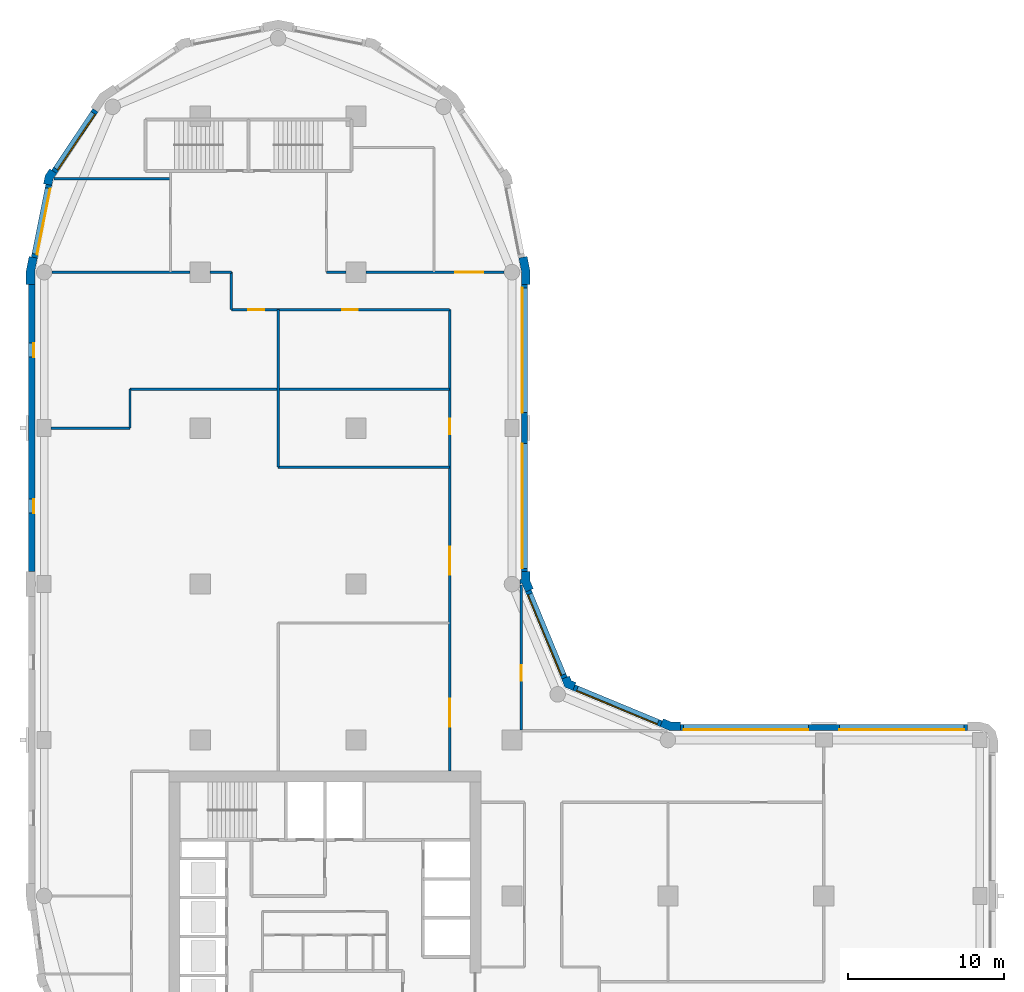
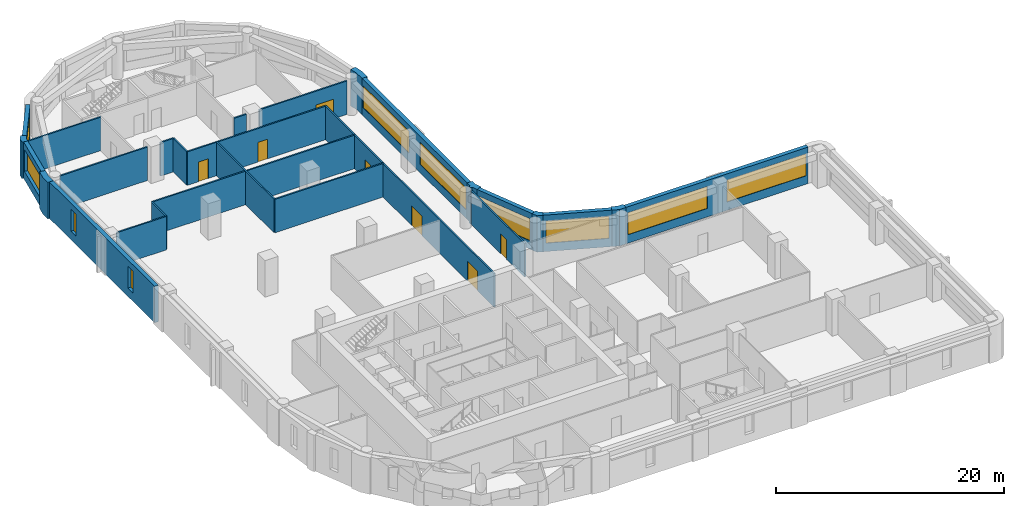
# One storey, part 5 of 9: 27 walls, 10 windows, 7 doors, 17 openings.
"""IFC4 building model written with IfcOpenShell, lengths in metres."""

from ifc_helpers import new_model, si_unit, direction, frame, frame_2d, origin, place, context, subcontext, project, spatial, polyline, rectangle, outline, extrude, material, layer, layer_set, type_object, element, fill, save


model = new_model("IFC4")

# Units and contexts
model_context = context("Model", 3, precision=1e-05, world=origin(), true_north=direction((0.0, 1.0)))
body_context = subcontext(model_context, "Body", "Model", "MODEL_VIEW")
ifc_project = project(units=[si_unit("LENGTHUNIT", "METRE"), si_unit("AREAUNIT", "SQUARE_METRE"), si_unit("VOLUMEUNIT", "CUBIC_METRE"), si_unit("PLANEANGLEUNIT", "RADIAN"), si_unit("MASSUNIT", "GRAM", prefix="KILO")], contexts=[model_context])

# Site, building, storey
site_placement = place(None, origin())
site = spatial("IfcSite", under=ifc_project, at=site_placement, CompositionType="ELEMENT")
building_placement = place(site_placement, origin())
building = spatial("IfcBuilding", under=site, at=building_placement, Name="Qaws Garden Tower", CompositionType="ELEMENT")
storey_placement = place(building_placement, frame((0.0, 0.0, 194.10009765625)))
storey = spatial("IfcBuildingStorey", under=building, at=storey_placement, Name="L47", CompositionType="ELEMENT", Elevation=194.10009765625)

# Wall, openings, windows
ifc_material_1 = material(Name="Clay facing brick masonry", Category="masonry")
ifc_layer_1 = layer(ifc_material_1, 0.39990234375)
ifc_layer_set_1 = layer_set([ifc_layer_1], Name="Clay facing brick masonry")
wall_type_1 = type_object("IfcWallType", Name="Brick infill wall 400", PredefinedType="SOLIDWALL", material=ifc_layer_set_1)
wall_1_placement = place(storey_placement, frame((59.199951171875, 30.800048828125, 0.0), z_axis=(0.0, 0.0, 1.0), x_axis=(-1.0, 0.0, 0.0)))
wall_1 = element("IfcWall", 1, at=wall_1_placement, inside=storey, type_object=wall_type_1, Name="E-L47-infill-07", PredefinedType="SOLIDWALL", context=body_context, shape_type="SweptSolid", body=[
    extrude(rectangle(XDim=18.39990234375, YDim=0.39990234375, at=frame_2d((9.199951171875, 0.0))), origin(), (0.0, 0.0, 1.0), 3.89990234375),
])
opening_1_placement = place(wall_1_placement, frame((0.199951171875, 0.0, 0.89990234375)))
opening_1 = element("IfcOpeningElement", 2, at=opening_1_placement, cuts=wall_1, Name="Opening W01", PredefinedType="OPENING", context=body_context, shape_type="SweptSolid", body=[
    extrude(rectangle(XDim=8.0, YDim=2.35009765625, at=frame_2d((4.0, 1.175048828125))), frame((0.0, 0.2099609375, 0.0), z_axis=(0.0, -1.0, 0.0), x_axis=(1.0, 0.0, 0.0)), (0.0, 0.0, 1.0), 0.419921875),
])
opening_2_placement = place(wall_1_placement, frame((10.199951171875, 0.0, 0.89990234375)))
opening_2 = element("IfcOpeningElement", 3, at=opening_2_placement, cuts=wall_1, Name="Opening W01", PredefinedType="OPENING", context=body_context, shape_type="SweptSolid", body=[
    extrude(rectangle(XDim=8.0, YDim=2.35009765625, at=frame_2d((4.0, 1.175048828125))), frame((0.0, 0.2099609375, 0.0), z_axis=(0.0, -1.0, 0.0), x_axis=(1.0, 0.0, 0.0)), (0.0, 0.0, 1.0), 0.419921875),
])
ifc_material_2 = material(Name="Aluminium framed window, clear glazing", Category="aluminium")
window_type_1 = type_object("IfcWindowType", Name="Ribbon window 8000 x 2350", PartitioningType="DOUBLE_PANEL_VERTICAL", PredefinedType="WINDOW", material=ifc_material_2)
window_1_placement = place(opening_1_placement, origin())
window_1 = element("IfcWindow", 4, at=window_1_placement, inside=storey, type_object=window_type_1, Name="E-L47-window-07-0", OverallHeight=2.35009765625, OverallWidth=8.0, PartitioningType="SINGLE_PANEL", PredefinedType="WINDOW", context=body_context, shape_type="SweptSolid", body=[
    extrude(rectangle(XDim=8.0, YDim=2.35009765625, at=frame_2d((4.0, 1.175048828125))), frame((0.0, 0.159912109375, 0.0), z_axis=(0.0, -1.0, 0.0), x_axis=(1.0, 0.0, 0.0)), (0.0, 0.0, 1.0), 0.06005859375),
])
fill(opening_1, window_1)
window_2_placement = place(opening_2_placement, origin())
window_2 = element("IfcWindow", 5, at=window_2_placement, inside=storey, type_object=window_type_1, Name="E-L47-window-08-0", OverallHeight=2.35009765625, OverallWidth=8.0, PartitioningType="SINGLE_PANEL", PredefinedType="WINDOW", context=body_context, shape_type="SweptSolid", body=[
    extrude(rectangle(XDim=8.0, YDim=2.35009765625, at=frame_2d((4.0, 1.175048828125))), frame((0.0, 0.159912109375, 0.0), z_axis=(0.0, -1.0, 0.0), x_axis=(1.0, 0.0, 0.0)), (0.0, 0.0, 1.0), 0.06005859375),
])
fill(opening_2, window_2)

# Wall, opening, window
wall_2_placement = place(storey_placement, frame((39.56689453125, 31.04541015625, 0.0), z_axis=(0.0, 0.0, 1.0), x_axis=(-0.923891000409, 0.382655745237, 0.0)))
wall_2 = element("IfcWall", 6, at=wall_2_placement, inside=storey, type_object=wall_type_1, Name="E-L47-infill-09", PredefinedType="SOLIDWALL", context=body_context, shape_type="SweptSolid", body=[
    extrude(rectangle(XDim=6.053466796875, YDim=0.39990234375, at=frame_2d((3.02685546875, 0.0))), origin(), (0.0, 0.0, 1.0), 3.89990234375),
])
opening_3_placement = place(wall_2_placement, frame((0.226806640625, 0.0, 0.89990234375)))
opening_3 = element("IfcOpeningElement", 7, at=opening_3_placement, cuts=wall_2, Name="Opening W04", PredefinedType="OPENING", context=body_context, shape_type="SweptSolid", body=[
    extrude(rectangle(XDim=5.60009765625, YDim=2.35009765625, at=frame_2d((2.800048828125, 1.175048828125))), frame((0.0, 0.2099609375, 0.0), z_axis=(0.0, -1.0, 0.0), x_axis=(1.0, 0.0, 0.0)), (0.0, 0.0, 1.0), 0.419921875),
])
ifc_material_3 = material(Name="Aluminium framed window, clear glazing", Category="aluminium")
window_type_2 = type_object("IfcWindowType", Name="Ribbon window 5600 x 2350", PartitioningType="DOUBLE_PANEL_VERTICAL", PredefinedType="WINDOW", material=ifc_material_3)
window_3_placement = place(opening_3_placement, origin())
window_3 = element("IfcWindow", 8, at=window_3_placement, inside=storey, type_object=window_type_2, Name="E-L47-window-09-0", OverallHeight=2.35009765625, OverallWidth=5.60009765625, PartitioningType="SINGLE_PANEL", PredefinedType="WINDOW", context=body_context, shape_type="SweptSolid", body=[
    extrude(rectangle(XDim=5.60009765625, YDim=2.35009765625, at=frame_2d((2.800048828125, 1.175048828125))), frame((0.0, 0.159912109375, 0.0), z_axis=(0.0, -1.0, 0.0), x_axis=(1.0, 0.0, 0.0)), (0.0, 0.0, 1.0), 0.06005859375),
])
fill(opening_3, window_3)

wall_3_placement = place(storey_placement, frame((33.36181640625, 33.97412109375, 0.0), z_axis=(0.0, 0.0, 1.0), x_axis=(-0.382655745237, 0.923891000409, 0.0)))
wall_3 = element("IfcWall", 9, at=wall_3_placement, inside=storey, type_object=wall_type_1, Name="E-L47-infill-10", PredefinedType="SOLIDWALL", context=body_context, shape_type="SweptSolid", body=[
    extrude(rectangle(XDim=6.053466796875, YDim=0.39990234375, at=frame_2d((3.02685546875, 0.0))), origin(), (0.0, 0.0, 1.0), 3.89990234375),
])
opening_4_placement = place(wall_3_placement, frame((0.226806640625, 0.0, 0.89990234375)))
opening_4 = element("IfcOpeningElement", 10, at=opening_4_placement, cuts=wall_3, Name="Opening W04", PredefinedType="OPENING", context=body_context, shape_type="SweptSolid", body=[
    extrude(rectangle(XDim=5.60009765625, YDim=2.35009765625, at=frame_2d((2.800048828125, 1.175048828125))), frame((0.0, 0.2099609375, 0.0), z_axis=(0.0, -1.0, 0.0), x_axis=(1.0, 0.0, 0.0)), (0.0, 0.0, 1.0), 0.419921875),
])
window_4_placement = place(opening_4_placement, origin())
window_4 = element("IfcWindow", 11, at=window_4_placement, inside=storey, type_object=window_type_2, Name="E-L47-window-10-0", OverallHeight=2.35009765625, OverallWidth=5.60009765625, PartitioningType="SINGLE_PANEL", PredefinedType="WINDOW", context=body_context, shape_type="SweptSolid", body=[
    extrude(rectangle(XDim=5.60009765625, YDim=2.35009765625, at=frame_2d((2.800048828125, 1.175048828125))), frame((0.0, 0.159912109375, 0.0), z_axis=(0.0, -1.0, 0.0), x_axis=(1.0, 0.0, 0.0)), (0.0, 0.0, 1.0), 0.06005859375),
])
fill(opening_4, window_4)

# Wall, openings, windows
wall_4_placement = place(storey_placement, frame((30.800048828125, 40.800048828125, 0.0), z_axis=(0.0, 0.0, 1.0), x_axis=(0.0, 1.0, 0.0)))
wall_4 = element("IfcWall", 12, at=wall_4_placement, inside=storey, type_object=wall_type_1, Name="E-L47-infill-11", PredefinedType="SOLIDWALL", context=body_context, shape_type="SweptSolid", body=[
    extrude(rectangle(XDim=18.39990234375, YDim=0.39990234375, at=frame_2d((9.199951171875, 0.0))), origin(), (0.0, 0.0, 1.0), 3.89990234375),
])
opening_5_placement = place(wall_4_placement, frame((0.199951171875, 0.0, 0.89990234375)))
opening_5 = element("IfcOpeningElement", 13, at=opening_5_placement, cuts=wall_4, Name="Opening W01", PredefinedType="OPENING", context=body_context, shape_type="SweptSolid", body=[
    extrude(rectangle(XDim=8.0, YDim=2.35009765625, at=frame_2d((4.0, 1.175048828125))), frame((0.0, 0.2099609375, 0.0), z_axis=(0.0, -1.0, 0.0), x_axis=(1.0, 0.0, 0.0)), (0.0, 0.0, 1.0), 0.419921875),
])
opening_6_placement = place(wall_4_placement, frame((10.199951171875, 0.0, 0.89990234375)))
opening_6 = element("IfcOpeningElement", 14, at=opening_6_placement, cuts=wall_4, Name="Opening W01", PredefinedType="OPENING", context=body_context, shape_type="SweptSolid", body=[
    extrude(rectangle(XDim=8.0, YDim=2.35009765625, at=frame_2d((4.0, 1.175048828125))), frame((0.0, 0.2099609375, 0.0), z_axis=(0.0, -1.0, 0.0), x_axis=(1.0, 0.0, 0.0)), (0.0, 0.0, 1.0), 0.419921875),
])
window_5_placement = place(opening_5_placement, origin())
window_5 = element("IfcWindow", 15, at=window_5_placement, inside=storey, type_object=window_type_1, Name="E-L47-window-11-0", OverallHeight=2.35009765625, OverallWidth=8.0, PartitioningType="SINGLE_PANEL", PredefinedType="WINDOW", context=body_context, shape_type="SweptSolid", body=[
    extrude(rectangle(XDim=8.0, YDim=2.35009765625, at=frame_2d((4.0, 1.175048828125))), frame((0.0, 0.159912109375, 0.0), z_axis=(0.0, -1.0, 0.0), x_axis=(1.0, 0.0, 0.0)), (0.0, 0.0, 1.0), 0.06005859375),
])
fill(opening_5, window_5)
window_6_placement = place(opening_6_placement, origin())
window_6 = element("IfcWindow", 16, at=window_6_placement, inside=storey, type_object=window_type_1, Name="E-L47-window-12-0", OverallHeight=2.35009765625, OverallWidth=8.0, PartitioningType="SINGLE_PANEL", PredefinedType="WINDOW", context=body_context, shape_type="SweptSolid", body=[
    extrude(rectangle(XDim=8.0, YDim=2.35009765625, at=frame_2d((4.0, 1.175048828125))), frame((0.0, 0.159912109375, 0.0), z_axis=(0.0, -1.0, 0.0), x_axis=(1.0, 0.0, 0.0)), (0.0, 0.0, 1.0), 0.06005859375),
])
fill(opening_6, window_6)

# Wall, opening, window
wall_5_placement = place(storey_placement, frame((3.28369140625, 70.385986328125, 0.0), z_axis=(0.0, 0.0, 1.0), x_axis=(-0.555541552266, -0.831488775454, 0.0)))
wall_5 = element("IfcWall", 17, at=wall_5_placement, inside=storey, type_object=wall_type_1, Name="E-L47-infill-19", PredefinedType="SOLIDWALL", context=body_context, shape_type="SweptSolid", body=[
    extrude(rectangle(XDim=4.752685546875, YDim=0.39990234375, at=frame_2d((2.37646484375, 0.0))), origin(), (0.0, 0.0, 1.0), 3.89990234375),
])
opening_7_placement = place(wall_5_placement, frame((0.226318359375, 0.0, 0.89990234375)))
opening_7 = element("IfcOpeningElement", 18, at=opening_7_placement, cuts=wall_5, Name="Opening W06", PredefinedType="OPENING", context=body_context, shape_type="SweptSolid", body=[
    extrude(rectangle(XDim=4.300048828125, YDim=2.35009765625, at=frame_2d((2.14990234375, 1.175048828125))), frame((0.0, 0.2099609375, 0.0), z_axis=(0.0, -1.0, 0.0), x_axis=(1.0, 0.0, 0.0)), (0.0, 0.0, 1.0), 0.419921875),
])
ifc_material_4 = material(Name="Aluminium framed window, clear glazing", Category="aluminium")
window_type_3 = type_object("IfcWindowType", Name="Ribbon window 4300 x 2350", PartitioningType="DOUBLE_PANEL_VERTICAL", PredefinedType="WINDOW", material=ifc_material_4)
window_7_placement = place(opening_7_placement, origin())
window_7 = element("IfcWindow", 19, at=window_7_placement, inside=storey, type_object=window_type_3, Name="E-L47-window-19-0", OverallHeight=2.35009765625, OverallWidth=4.300048828125, PartitioningType="SINGLE_PANEL", PredefinedType="WINDOW", context=body_context, shape_type="SweptSolid", body=[
    extrude(rectangle(XDim=4.300048828125, YDim=2.35009765625, at=frame_2d((2.14990234375, 1.175048828125))), frame((0.0, 0.159912109375, 0.0), z_axis=(0.0, -1.0, 0.0), x_axis=(1.0, 0.0, 0.0)), (0.0, 0.0, 1.0), 0.06005859375),
])
fill(opening_7, window_7)

wall_6_placement = place(storey_placement, frame((0.298583984375, 65.60205078125, 0.0), z_axis=(0.0, 0.0, 1.0), x_axis=(-0.195098533057, -0.98078364709, 0.0)))
wall_6 = element("IfcWall", 20, at=wall_6_placement, inside=storey, type_object=wall_type_1, Name="E-L47-infill-20", PredefinedType="SOLIDWALL", context=body_context, shape_type="SweptSolid", body=[
    extrude(rectangle(XDim=4.752685546875, YDim=0.39990234375, at=frame_2d((2.37646484375, 0.0))), origin(), (0.0, 0.0, 1.0), 3.89990234375),
])
opening_8_placement = place(wall_6_placement, frame((0.226318359375, 0.0, 0.89990234375)))
opening_8 = element("IfcOpeningElement", 21, at=opening_8_placement, cuts=wall_6, Name="Opening W06", PredefinedType="OPENING", context=body_context, shape_type="SweptSolid", body=[
    extrude(rectangle(XDim=4.300048828125, YDim=2.35009765625, at=frame_2d((2.14990234375, 1.175048828125))), frame((0.0, 0.2099609375, 0.0), z_axis=(0.0, -1.0, 0.0), x_axis=(1.0, 0.0, 0.0)), (0.0, 0.0, 1.0), 0.419921875),
])
window_8_placement = place(opening_8_placement, origin())
window_8 = element("IfcWindow", 22, at=window_8_placement, inside=storey, type_object=window_type_3, Name="E-L47-window-20-0", OverallHeight=2.35009765625, OverallWidth=4.300048828125, PartitioningType="SINGLE_PANEL", PredefinedType="WINDOW", context=body_context, shape_type="SweptSolid", body=[
    extrude(rectangle(XDim=4.300048828125, YDim=2.35009765625, at=frame_2d((2.14990234375, 1.175048828125))), frame((0.0, 0.159912109375, 0.0), z_axis=(0.0, -1.0, 0.0), x_axis=(1.0, 0.0, 0.0)), (0.0, 0.0, 1.0), 0.06005859375),
])
fill(opening_8, window_8)

# Wall, openings, windows
wall_7_placement = place(storey_placement, frame((-0.800048828125, 59.199951171875, 0.0), z_axis=(0.0, 0.0, 1.0), x_axis=(0.0, -1.0, 0.0)))
wall_7 = element("IfcWall", 23, at=wall_7_placement, inside=storey, type_object=wall_type_1, Name="E-L47-infill-21", PredefinedType="SOLIDWALL", context=body_context, shape_type="SweptSolid", body=[
    extrude(rectangle(XDim=18.39990234375, YDim=0.39990234375, at=frame_2d((9.199951171875, 0.0))), origin(), (0.0, 0.0, 1.0), 3.89990234375),
])
opening_9_placement = place(wall_7_placement, frame((3.75, 0.0, 0.89990234375)))
opening_9 = element("IfcOpeningElement", 24, at=opening_9_placement, cuts=wall_7, Name="Opening W09", PredefinedType="OPENING", context=body_context, shape_type="SweptSolid", body=[
    extrude(rectangle(XDim=0.89990234375, YDim=2.35009765625, at=frame_2d((0.449951171875, 1.175048828125))), frame((0.0, 0.2099609375, 0.0), z_axis=(0.0, -1.0, 0.0), x_axis=(1.0, 0.0, 0.0)), (0.0, 0.0, 1.0), 0.419921875),
])
opening_10_placement = place(wall_7_placement, frame((13.75, 0.0, 0.89990234375)))
opening_10 = element("IfcOpeningElement", 25, at=opening_10_placement, cuts=wall_7, Name="Opening W09", PredefinedType="OPENING", context=body_context, shape_type="SweptSolid", body=[
    extrude(rectangle(XDim=0.89990234375, YDim=2.35009765625, at=frame_2d((0.449951171875, 1.175048828125))), frame((0.0, 0.2099609375, 0.0), z_axis=(0.0, -1.0, 0.0), x_axis=(1.0, 0.0, 0.0)), (0.0, 0.0, 1.0), 0.419921875),
])
ifc_material_5 = material(Name="Aluminium framed window, clear glazing", Category="aluminium")
window_type_4 = type_object("IfcWindowType", Name="Slit window 900 x 2350", PartitioningType="SINGLE_PANEL", PredefinedType="WINDOW", material=ifc_material_5)
window_9_placement = place(opening_9_placement, origin())
window_9 = element("IfcWindow", 26, at=window_9_placement, inside=storey, type_object=window_type_4, Name="E-L47-window-21-0", OverallHeight=2.35009765625, OverallWidth=0.89990234375, PartitioningType="SINGLE_PANEL", PredefinedType="WINDOW", context=body_context, shape_type="SweptSolid", body=[
    extrude(rectangle(XDim=0.89990234375, YDim=2.35009765625, at=frame_2d((0.449951171875, 1.175048828125))), frame((0.0, 0.159912109375, 0.0), z_axis=(0.0, -1.0, 0.0), x_axis=(1.0, 0.0, 0.0)), (0.0, 0.0, 1.0), 0.06005859375),
])
fill(opening_9, window_9)
window_10_placement = place(opening_10_placement, origin())
window_10 = element("IfcWindow", 27, at=window_10_placement, inside=storey, type_object=window_type_4, Name="E-L47-window-22-0", OverallHeight=2.35009765625, OverallWidth=0.89990234375, PartitioningType="SINGLE_PANEL", PredefinedType="WINDOW", context=body_context, shape_type="SweptSolid", body=[
    extrude(rectangle(XDim=0.89990234375, YDim=2.35009765625, at=frame_2d((0.449951171875, 1.175048828125))), frame((0.0, 0.159912109375, 0.0), z_axis=(0.0, -1.0, 0.0), x_axis=(1.0, 0.0, 0.0)), (0.0, 0.0, 1.0), 0.06005859375),
])
fill(opening_10, window_10)

# Walls
ifc_material_6 = material(Name="Clay facing brick masonry", Category="masonry")
ifc_layer_2 = layer(ifc_material_6, 0.550048828125)
ifc_layer_set_2 = layer_set([ifc_layer_2], Name="Clay facing brick masonry")
wall_type_2 = type_object("IfcWallType", Name="Brick kink pier 550 x 600", PredefinedType="SOLIDWALL", material=ifc_layer_set_2)
placement = place(storey_placement, origin())
element("IfcWall", 28, at=placement, inside=storey, type_object=wall_type_2, Name="E-L47-pier-20", PredefinedType="SOLIDWALL", context=body_context, shape_type="SweptSolid", body=[
    extrude(outline(polyline([(0.47705078125, 66.545166015625), (0.352294921875, 66.628662109375), (0.05859375, 66.18896484375), (-0.044677734375, 65.67041015625), (0.1025390625, 65.64111328125), (0.494873046875, 65.56298828125), (0.57666015625, 65.974365234375), (0.8095703125, 66.322998046875), (0.47705078125, 66.545166015625)])), origin(), (0.0, 0.0, 1.0), 3.89990234375),
])
ifc_material_7 = material(Name="Clay facing brick masonry", Category="masonry")
ifc_layer_3 = layer(ifc_material_7, 0.550048828125)
ifc_layer_set_3 = layer_set([ifc_layer_3], Name="Clay facing brick masonry")
wall_type_3 = type_object("IfcWallType", Name="Brick pier 550 x 1600", PredefinedType="SOLIDWALL", material=ifc_layer_set_3)
element("IfcWall", 29, at=placement, inside=storey, type_object=wall_type_3, Name="E-L47-pier-09", PredefinedType="SOLIDWALL", context=body_context, shape_type="SweptSolid", body=[
    extrude(outline(polyline([(40.800048828125, 31.0), (40.800048828125, 31.14990234375), (40.228759765625, 31.14990234375), (39.700927734375, 31.36865234375), (39.6435546875, 31.22998046875), (39.490478515625, 30.860595703125), (40.119384765625, 30.60009765625), (40.800048828125, 30.60009765625), (40.800048828125, 31.0)])), origin(), (0.0, 0.0, 1.0), 3.89990234375),
])
element("IfcWall", 30, at=placement, inside=storey, type_object=wall_type_3, Name="E-L47-pier-10", PredefinedType="SOLIDWALL", context=body_context, shape_type="SweptSolid", body=[
    extrude(outline(polyline([(34.05078125, 33.546630859375), (34.108154296875, 33.685302734375), (33.80908203125, 33.80908203125), (33.685302734375, 34.108154296875), (33.546630859375, 34.05078125), (33.177001953125, 33.897705078125), (33.38818359375, 33.38818359375), (33.897705078125, 33.177001953125), (34.05078125, 33.546630859375)])), origin(), (0.0, 0.0, 1.0), 3.89990234375),
])
element("IfcWall", 31, at=placement, inside=storey, type_object=wall_type_3, Name="E-L47-pier-11", PredefinedType="SOLIDWALL", context=body_context, shape_type="SweptSolid", body=[
    extrude(outline(polyline([(30.6201171875, 39.995361328125), (30.6201171875, 40.071044921875), (30.860595703125, 39.490478515625), (31.22998046875, 39.6435546875), (31.36865234375, 39.700927734375), (31.14990234375, 40.228759765625), (31.14990234375, 40.800048828125), (31.0, 40.800048828125), (30.60009765625, 40.800048828125), (30.60009765625, 40.29541015625), (30.5, 40.29541015625), (30.5, 39.995361328125), (30.6201171875, 39.995361328125)])), origin(), (0.0, 0.0, 1.0), 3.89990234375),
])
element("IfcWall", 32, at=placement, inside=storey, type_object=wall_type_3, Name="E-L47-pier-13", PredefinedType="SOLIDWALL", context=body_context, shape_type="SweptSolid", body=[
    extrude(outline(polyline([(31.0, 59.199951171875), (31.14990234375, 59.199951171875), (31.14990234375, 60.11328125), (30.971923828125, 61.009033203125), (30.82470703125, 60.979736328125), (30.432373046875, 60.901611328125), (30.60009765625, 60.05908203125), (30.60009765625, 59.199951171875), (31.0, 59.199951171875)])), origin(), (0.0, 0.0, 1.0), 3.89990234375),
])
element("IfcWall", 33, at=placement, inside=storey, type_object=wall_type_3, Name="E-L47-pier-21", PredefinedType="SOLIDWALL", context=body_context, shape_type="SweptSolid", body=[
    extrude(outline(polyline([(-0.82470703125, 60.979736328125), (-0.971923828125, 61.009033203125), (-1.14990234375, 60.11328125), (-1.14990234375, 59.199951171875), (-1.0, 59.199951171875), (-0.60009765625, 59.199951171875), (-0.60009765625, 60.05908203125), (-0.432373046875, 60.901611328125), (-0.82470703125, 60.979736328125)])), origin(), (0.0, 0.0, 1.0), 3.89990234375),
])
ifc_material_8 = material(Name="Gypsum board partition")
ifc_layer_4 = layer(ifc_material_8, 0.14990234375)
ifc_layer_set_4 = layer_set([ifc_layer_4], Name="Gypsum board partition")
wall_type_4 = type_object("IfcWallType", Name="PARTITION 150 EI 60", PredefinedType="PARTITIONING", material=ifc_layer_set_4)
wall_14_placement = place(storey_placement, frame((5.5, 50.0, 0.0), z_axis=(0.0, 0.0, 1.0), x_axis=(0.0, 1.0, 0.0)))
element("IfcWall", 34, at=wall_14_placement, inside=storey, type_object=wall_type_4, Name="O-L47-wall-003", PredefinedType="PARTITIONING", context=body_context, shape_type="SweptSolid", body=[
    extrude(rectangle(XDim=2.5, YDim=0.14990234375, at=frame_2d((1.25, 0.0))), origin(), (0.0, 0.0, 1.0), 3.579833984375),
])
wall_15_placement = place(storey_placement, frame((12.0, 57.60009765625, 0.0), z_axis=(0.0, 0.0, 1.0), x_axis=(0.0, 1.0, 0.0)))
element("IfcWall", 35, at=wall_15_placement, inside=storey, type_object=wall_type_4, Name="O-L47-wall-006", PredefinedType="PARTITIONING", context=body_context, shape_type="SweptSolid", body=[
    extrude(rectangle(XDim=2.39990234375, YDim=0.14990234375, at=frame_2d((1.199951171875, 0.0))), origin(), (0.0, 0.0, 1.0), 3.579833984375),
])
wall_16_placement = place(storey_placement, frame((15.0, 47.5, 0.0), z_axis=(0.0, 0.0, 1.0), x_axis=(0.0, 1.0, 0.0)))
element("IfcWall", 36, at=wall_16_placement, inside=storey, type_object=wall_type_4, Name="O-L47-wall-009", PredefinedType="PARTITIONING", context=body_context, shape_type="SweptSolid", body=[
    extrude(rectangle(XDim=10.10009765625, YDim=0.14990234375, at=frame_2d((5.050048828125, 0.0))), origin(), (0.0, 0.0, 1.0), 3.579833984375),
])

# Wall, openings, doors
wall_17_placement = place(storey_placement, frame((26.0, 28.0, 0.0), z_axis=(0.0, 0.0, 1.0), x_axis=(0.0, 1.0, 0.0)))
wall_17 = element("IfcWall", 37, at=wall_17_placement, inside=storey, type_object=wall_type_4, Name="O-L47-wall-013", PredefinedType="PARTITIONING", context=body_context, shape_type="SweptSolid", body=[
    extrude(rectangle(XDim=29.60009765625, YDim=0.14990234375, at=frame_2d((14.800048828125, 0.0))), origin(), (0.0, 0.0, 1.0), 3.579833984375),
])
opening_11_placement = place(wall_17_placement, frame((2.85009765625, 0.0, 0.0)))
opening_11 = element("IfcOpeningElement", 38, at=opening_11_placement, cuts=wall_17, Name="Opening B604", PredefinedType="OPENING", context=body_context, shape_type="SweptSolid", body=[
    extrude(rectangle(XDim=1.800048828125, YDim=2.10009765625, at=frame_2d((0.89990234375, 1.050048828125))), frame((0.0, 0.0849609375, 0.0), z_axis=(0.0, -1.0, 0.0), x_axis=(1.0, 0.0, 0.0)), (0.0, 0.0, 1.0), 0.169921875),
])
opening_12_placement = place(wall_17_placement, frame((12.60009765625, 0.0, 0.0)))
opening_12 = element("IfcOpeningElement", 39, at=opening_12_placement, cuts=wall_17, Name="Opening B605", PredefinedType="OPENING", context=body_context, shape_type="SweptSolid", body=[
    extrude(rectangle(XDim=1.800048828125, YDim=2.10009765625, at=frame_2d((0.89990234375, 1.050048828125))), frame((0.0, 0.0849609375, 0.0), z_axis=(0.0, -1.0, 0.0), x_axis=(1.0, 0.0, 0.0)), (0.0, 0.0, 1.0), 0.169921875),
])
opening_13_placement = place(wall_17_placement, frame((21.60009765625, 0.0, 0.0)))
opening_13 = element("IfcOpeningElement", 40, at=opening_13_placement, cuts=wall_17, Name="Opening B606", PredefinedType="OPENING", context=body_context, shape_type="SweptSolid", body=[
    extrude(rectangle(XDim=1.0, YDim=2.10009765625, at=frame_2d((0.5, 1.050048828125))), frame((0.0, 0.0849609375, 0.0), z_axis=(0.0, -1.0, 0.0), x_axis=(1.0, 0.0, 0.0)), (0.0, 0.0, 1.0), 0.169921875),
])
ifc_material_9 = material(Name="Timber door leaf", Category="wood")
door_type_1 = type_object("IfcDoorType", Name="DOUBLE DOOR 1800 X 2100", OperationType="DOUBLE_DOOR_SINGLE_SWING", PredefinedType="DOOR", material=ifc_material_9)
door_1_placement = place(opening_11_placement, origin())
door_1 = element("IfcDoor", 41, at=door_1_placement, inside=storey, type_object=door_type_1, Name="O-L47-door-004", OperationType="DOUBLE_DOOR_SINGLE_SWING", OverallHeight=2.10009765625, OverallWidth=1.800048828125, PredefinedType="DOOR", context=body_context, shape_type="SweptSolid", body=[
    extrude(rectangle(XDim=1.800048828125, YDim=2.10009765625, at=frame_2d((0.89990234375, 1.050048828125))), frame((0.0, 0.02490234375, 0.0), z_axis=(0.0, -1.0, 0.0), x_axis=(1.0, 0.0, 0.0)), (0.0, 0.0, 1.0), 0.050048828125),
])
fill(opening_11, door_1)
door_2_placement = place(opening_12_placement, origin())
door_2 = element("IfcDoor", 42, at=door_2_placement, inside=storey, type_object=door_type_1, Name="O-L47-door-005", OperationType="DOUBLE_DOOR_SINGLE_SWING", OverallHeight=2.10009765625, OverallWidth=1.800048828125, PredefinedType="DOOR", context=body_context, shape_type="SweptSolid", body=[
    extrude(rectangle(XDim=1.800048828125, YDim=2.10009765625, at=frame_2d((0.89990234375, 1.050048828125))), frame((0.0, 0.02490234375, 0.0), z_axis=(0.0, -1.0, 0.0), x_axis=(1.0, 0.0, 0.0)), (0.0, 0.0, 1.0), 0.050048828125),
])
fill(opening_12, door_2)
ifc_material_10 = material(Name="Timber door leaf", Category="wood")
door_type_2 = type_object("IfcDoorType", Name="TENANCY ENTRANCE DOOR 1000 X 2100", OperationType="SINGLE_SWING_LEFT", PredefinedType="DOOR", material=ifc_material_10)
door_3_placement = place(opening_13_placement, origin())
door_3 = element("IfcDoor", 43, at=door_3_placement, inside=storey, type_object=door_type_2, Name="O-L47-door-006", OperationType="SINGLE_SWING_LEFT", OverallHeight=2.10009765625, OverallWidth=1.0, PredefinedType="DOOR", context=body_context, shape_type="SweptSolid", body=[
    extrude(rectangle(XDim=1.0, YDim=2.10009765625, at=frame_2d((0.5, 1.050048828125))), frame((0.0, 0.02490234375, 0.0), z_axis=(0.0, -1.0, 0.0), x_axis=(1.0, 0.0, 0.0)), (0.0, 0.0, 1.0), 0.050048828125),
])
fill(opening_13, door_3)

# Wall, opening, door
wall_18_placement = place(storey_placement, frame((30.60009765625, 30.64990234375, 0.0), z_axis=(0.0, 0.0, 1.0), x_axis=(0.0, 1.0, 0.0)))
wall_18 = element("IfcWall", 44, at=wall_18_placement, inside=storey, type_object=wall_type_4, Name="O-L47-wall-014", PredefinedType="PARTITIONING", context=body_context, shape_type="SweptSolid", body=[
    extrude(rectangle(XDim=9.288330078125, YDim=0.14990234375, at=frame_2d((4.64404296875, 0.0))), origin(), (0.0, 0.0, 1.0), 3.579833984375),
])
opening_14_placement = place(wall_18_placement, frame((3.14990234375, 0.0, 0.0)))
opening_14 = element("IfcOpeningElement", 45, at=opening_14_placement, cuts=wall_18, Name="Opening B613", PredefinedType="OPENING", context=body_context, shape_type="SweptSolid", body=[
    extrude(rectangle(XDim=1.0, YDim=2.10009765625, at=frame_2d((0.5, 1.050048828125))), frame((0.0, 0.0849609375, 0.0), z_axis=(0.0, -1.0, 0.0), x_axis=(1.0, 0.0, 0.0)), (0.0, 0.0, 1.0), 0.169921875),
])
door_4_placement = place(opening_14_placement, frame((1.0, 0.0, 0.0), z_axis=(0.0, 0.0, 1.0), x_axis=(-1.0, 0.0, 0.0)))
door_4 = element("IfcDoor", 46, at=door_4_placement, inside=storey, type_object=door_type_2, Name="O-L47-door-013", OperationType="SINGLE_SWING_LEFT", OverallHeight=2.10009765625, OverallWidth=1.0, PredefinedType="DOOR", context=body_context, shape_type="SweptSolid", body=[
    extrude(rectangle(XDim=1.0, YDim=2.10009765625, at=frame_2d((0.5, 1.050048828125))), frame((0.0, 0.02490234375, 0.0), z_axis=(0.0, -1.0, 0.0), x_axis=(1.0, 0.0, 0.0)), (0.0, 0.0, 1.0), 0.050048828125),
])
fill(opening_14, door_4)

# Walls
wall_19_placement = place(storey_placement, frame((15.0, 47.5, 0.0), z_axis=(0.0, 0.0, 1.0), x_axis=(1.0, 0.0, 0.0)))
element("IfcWall", 47, at=wall_19_placement, inside=storey, type_object=wall_type_4, Name="O-L47-wall-045", PredefinedType="PARTITIONING", context=body_context, shape_type="SweptSolid", body=[
    extrude(rectangle(XDim=11.0, YDim=0.14990234375, at=frame_2d((5.5, 0.0))), origin(), (0.0, 0.0, 1.0), 3.579833984375),
])
wall_20_placement = place(storey_placement, frame((0.449951171875, 50.0, 0.0), z_axis=(0.0, 0.0, 1.0), x_axis=(1.0, 0.0, 0.0)))
element("IfcWall", 48, at=wall_20_placement, inside=storey, type_object=wall_type_4, Name="O-L47-wall-046", PredefinedType="PARTITIONING", context=body_context, shape_type="SweptSolid", body=[
    extrude(rectangle(XDim=5.050048828125, YDim=0.14990234375, at=frame_2d((2.52490234375, 0.0))), origin(), (0.0, 0.0, 1.0), 3.579833984375),
])
wall_21_placement = place(storey_placement, frame((5.5, 52.5, 0.0), z_axis=(0.0, 0.0, 1.0), x_axis=(1.0, 0.0, 0.0)))
element("IfcWall", 49, at=wall_21_placement, inside=storey, type_object=wall_type_4, Name="O-L47-wall-047", PredefinedType="PARTITIONING", context=body_context, shape_type="SweptSolid", body=[
    extrude(rectangle(XDim=20.5, YDim=0.14990234375, at=frame_2d((10.25, 0.0))), origin(), (0.0, 0.0, 1.0), 3.579833984375),
])

# Wall, openings, doors
wall_22_placement = place(storey_placement, frame((12.0, 57.60009765625, 0.0), z_axis=(0.0, 0.0, 1.0), x_axis=(1.0, 0.0, 0.0)))
wall_22 = element("IfcWall", 50, at=wall_22_placement, inside=storey, type_object=wall_type_4, Name="O-L47-wall-048", PredefinedType="PARTITIONING", context=body_context, shape_type="SweptSolid", body=[
    extrude(rectangle(XDim=14.0, YDim=0.14990234375, at=frame_2d((7.0, 0.0))), origin(), (0.0, 0.0, 1.0), 3.579833984375),
])
opening_15_placement = place(wall_22_placement, frame((7.10009765625, 0.0, 0.0)))
opening_15 = element("IfcOpeningElement", 51, at=opening_15_placement, cuts=wall_22, Name="Opening B607", PredefinedType="OPENING", context=body_context, shape_type="SweptSolid", body=[
    extrude(rectangle(XDim=1.0, YDim=2.10009765625, at=frame_2d((0.5, 1.050048828125))), frame((0.0, 0.0849609375, 0.0), z_axis=(0.0, -1.0, 0.0), x_axis=(1.0, 0.0, 0.0)), (0.0, 0.0, 1.0), 0.169921875),
])
opening_16_placement = place(wall_22_placement, frame((1.10009765625, 0.0, 0.0)))
opening_16 = element("IfcOpeningElement", 52, at=opening_16_placement, cuts=wall_22, Name="Opening B608", PredefinedType="OPENING", context=body_context, shape_type="SweptSolid", body=[
    extrude(rectangle(XDim=1.0, YDim=2.10009765625, at=frame_2d((0.5, 1.050048828125))), frame((0.0, 0.0849609375, 0.0), z_axis=(0.0, -1.0, 0.0), x_axis=(1.0, 0.0, 0.0)), (0.0, 0.0, 1.0), 0.169921875),
])
door_5_placement = place(opening_15_placement, frame((1.0, 0.0, 0.0), z_axis=(0.0, 0.0, 1.0), x_axis=(-1.0, 0.0, 0.0)))
door_5 = element("IfcDoor", 53, at=door_5_placement, inside=storey, type_object=door_type_2, Name="O-L47-door-007", OperationType="SINGLE_SWING_LEFT", OverallHeight=2.10009765625, OverallWidth=1.0, PredefinedType="DOOR", context=body_context, shape_type="SweptSolid", body=[
    extrude(rectangle(XDim=1.0, YDim=2.10009765625, at=frame_2d((0.5, 1.050048828125))), frame((0.0, 0.02490234375, 0.0), z_axis=(0.0, -1.0, 0.0), x_axis=(1.0, 0.0, 0.0)), (0.0, 0.0, 1.0), 0.050048828125),
])
fill(opening_15, door_5)
door_6_placement = place(opening_16_placement, frame((1.0, 0.0, 0.0), z_axis=(0.0, 0.0, 1.0), x_axis=(-1.0, 0.0, 0.0)))
door_6 = element("IfcDoor", 54, at=door_6_placement, inside=storey, type_object=door_type_2, Name="O-L47-door-008", OperationType="SINGLE_SWING_LEFT", OverallHeight=2.10009765625, OverallWidth=1.0, PredefinedType="DOOR", context=body_context, shape_type="SweptSolid", body=[
    extrude(rectangle(XDim=1.0, YDim=2.10009765625, at=frame_2d((0.5, 1.050048828125))), frame((0.0, 0.02490234375, 0.0), z_axis=(0.0, -1.0, 0.0), x_axis=(1.0, 0.0, 0.0)), (0.0, 0.0, 1.0), 0.050048828125),
])
fill(opening_16, door_6)

# Walls
wall_23_placement = place(storey_placement, frame((0.5, 60.0, 0.0), z_axis=(0.0, 0.0, 1.0), x_axis=(1.0, 0.0, 0.0)))
element("IfcWall", 55, at=wall_23_placement, inside=storey, type_object=wall_type_4, Name="O-L47-wall-049", PredefinedType="PARTITIONING", context=body_context, shape_type="SweptSolid", body=[
    extrude(rectangle(XDim=8.85009765625, YDim=0.14990234375, at=frame_2d((4.425048828125, 0.0))), origin(), (0.0, 0.0, 1.0), 3.579833984375),
])
wall_24_placement = place(storey_placement, frame((10.64990234375, 60.0, 0.0), z_axis=(0.0, 0.0, 1.0), x_axis=(1.0, 0.0, 0.0)))
element("IfcWall", 56, at=wall_24_placement, inside=storey, type_object=wall_type_4, Name="O-L47-wall-050", PredefinedType="PARTITIONING", context=body_context, shape_type="SweptSolid", body=[
    extrude(rectangle(XDim=1.35009765625, YDim=0.14990234375, at=frame_2d((0.675048828125, 0.0))), origin(), (0.0, 0.0, 1.0), 3.579833984375),
])
wall_25_placement = place(storey_placement, frame((18.10009765625, 60.0, 0.0), z_axis=(0.0, 0.0, 1.0), x_axis=(1.0, 0.0, 0.0)))
element("IfcWall", 57, at=wall_25_placement, inside=storey, type_object=wall_type_4, Name="O-L47-wall-051", PredefinedType="PARTITIONING", context=body_context, shape_type="SweptSolid", body=[
    extrude(rectangle(XDim=1.25, YDim=0.14990234375, at=frame_2d((0.625, 0.0))), origin(), (0.0, 0.0, 1.0), 3.579833984375),
])

# Wall, opening, door
wall_26_placement = place(storey_placement, frame((20.64990234375, 60.0, 0.0), z_axis=(0.0, 0.0, 1.0), x_axis=(1.0, 0.0, 0.0)))
wall_26 = element("IfcWall", 58, at=wall_26_placement, inside=storey, type_object=wall_type_4, Name="O-L47-wall-052", PredefinedType="PARTITIONING", context=body_context, shape_type="SweptSolid", body=[
    extrude(rectangle(XDim=8.85009765625, YDim=0.14990234375, at=frame_2d((4.425048828125, 0.0))), origin(), (0.0, 0.0, 1.0), 3.579833984375),
])
opening_17_placement = place(wall_26_placement, frame((5.699951171875, 0.0, 0.0)))
opening_17 = element("IfcOpeningElement", 59, at=opening_17_placement, cuts=wall_26, Name="Opening B612", PredefinedType="OPENING", context=body_context, shape_type="SweptSolid", body=[
    extrude(rectangle(XDim=1.800048828125, YDim=2.10009765625, at=frame_2d((0.89990234375, 1.050048828125))), frame((0.0, 0.0849609375, 0.0), z_axis=(0.0, -1.0, 0.0), x_axis=(1.0, 0.0, 0.0)), (0.0, 0.0, 1.0), 0.169921875),
])
door_7_placement = place(opening_17_placement, origin())
door_7 = element("IfcDoor", 60, at=door_7_placement, inside=storey, type_object=door_type_1, Name="O-L47-door-012", OperationType="DOUBLE_DOOR_SINGLE_SWING", OverallHeight=2.10009765625, OverallWidth=1.800048828125, PredefinedType="DOOR", context=body_context, shape_type="SweptSolid", body=[
    extrude(rectangle(XDim=1.800048828125, YDim=2.10009765625, at=frame_2d((0.89990234375, 1.050048828125))), frame((0.0, 0.02490234375, 0.0), z_axis=(0.0, -1.0, 0.0), x_axis=(1.0, 0.0, 0.0)), (0.0, 0.0, 1.0), 0.050048828125),
])
fill(opening_17, door_7)

# Wall
wall_27_placement = place(storey_placement, frame((0.643798828125, 66.0, 0.0), z_axis=(0.0, 0.0, 1.0), x_axis=(1.0, 0.0, 0.0)))
element("IfcWall", 61, at=wall_27_placement, inside=storey, type_object=wall_type_4, Name="O-L47-wall-053", PredefinedType="PARTITIONING", context=body_context, shape_type="SweptSolid", body=[
    extrude(rectangle(XDim=7.456298828125, YDim=0.14990234375, at=frame_2d((3.72802734375, 0.0))), origin(), (0.0, 0.0, 1.0), 3.579833984375),
])

save(model, "model.ifc")
